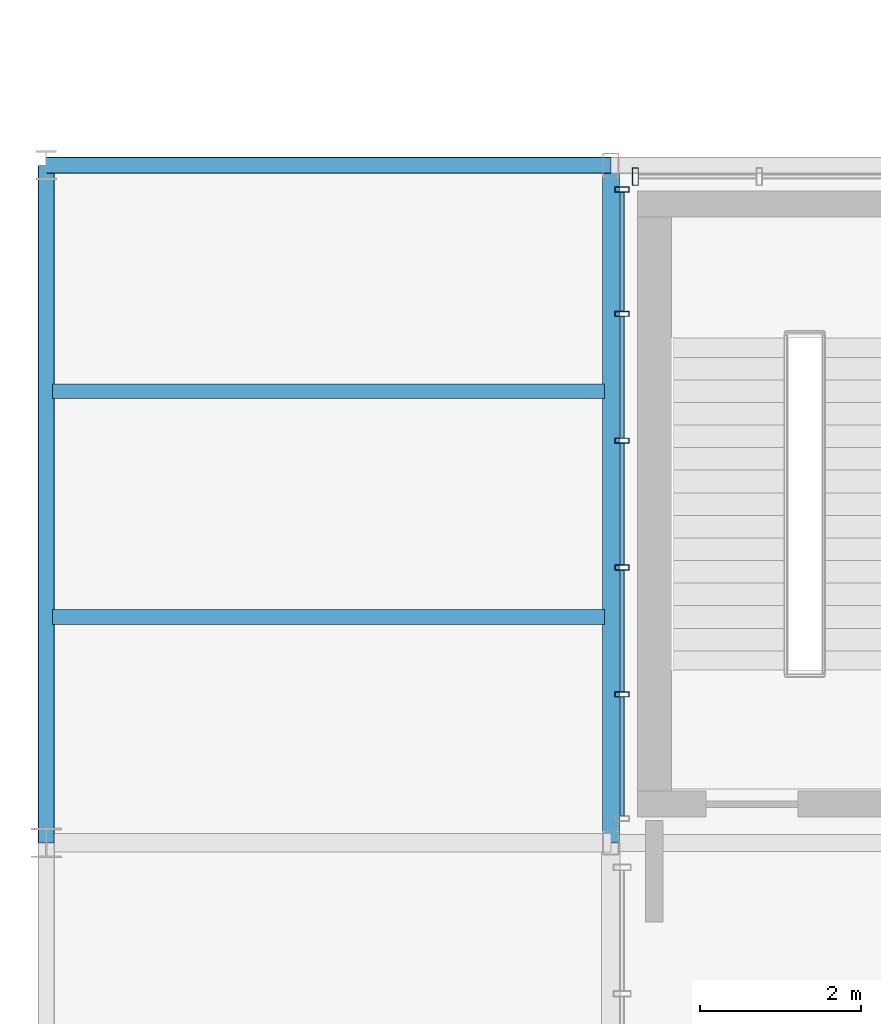
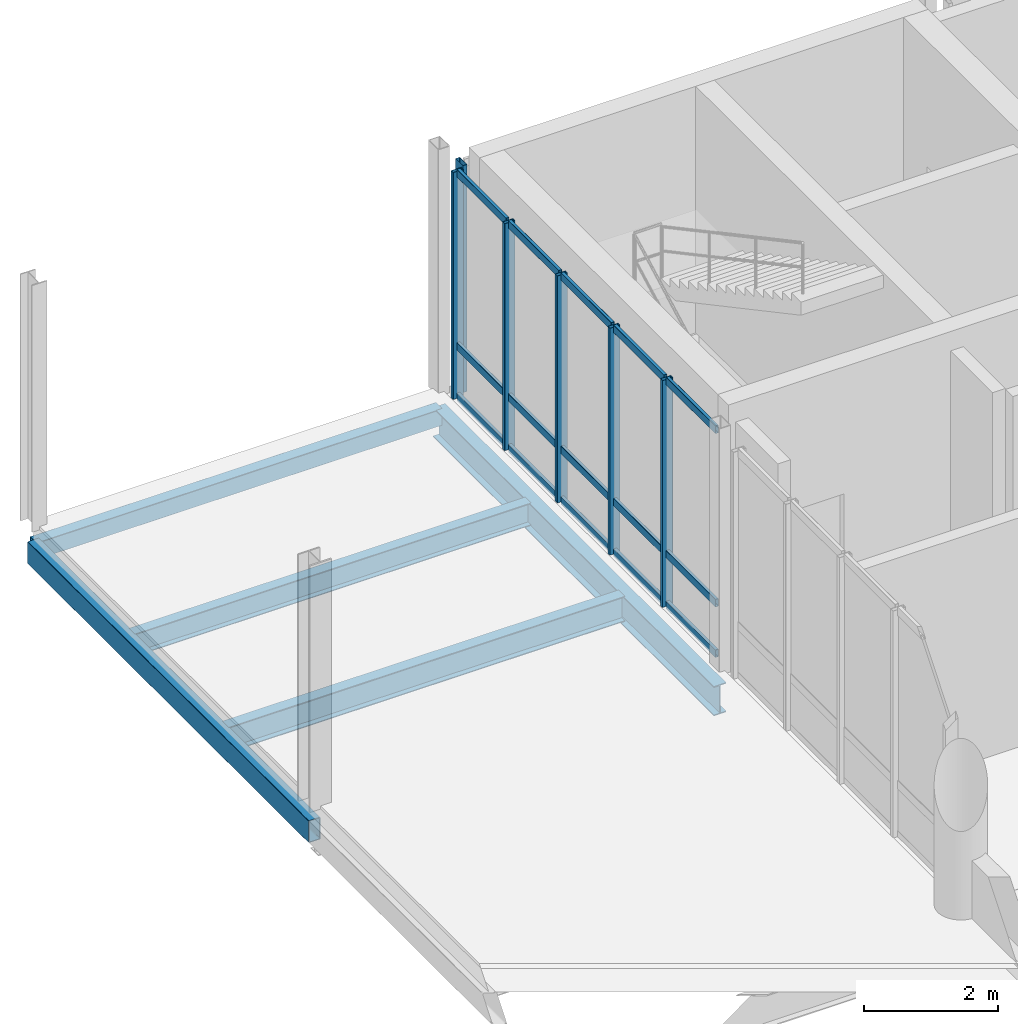
# One storey, part 10 of 68: 21 members, 5 beams, 2 elements without a shape of their own.
"""IFC4 building model written with IfcOpenShell, lengths in metres."""

from ifc_helpers import new_model, si_unit, direction, frame, origin_with_axes, origin_2d_with_axis, place, context, subcontext, project, spatial, hollow_rectangle, i_section, extrude, material, material_profile, profile_set, type_object, element, aggregate, save


model = new_model("IFC4")

# Units and contexts
model_context = context("Model", 3, precision=1e-05, world=origin_with_axes(), true_north=direction((0.0, 1.0)))
body_context = subcontext(model_context, "Body", "Model", "MODEL_VIEW")
ifc_project = project(units=[si_unit("LENGTHUNIT", "METRE"), si_unit("AREAUNIT", "SQUARE_METRE"), si_unit("VOLUMEUNIT", "CUBIC_METRE"), si_unit("PLANEANGLEUNIT", "RADIAN"), si_unit("MASSUNIT", "GRAM", prefix="KILO"), si_unit("THERMODYNAMICTEMPERATUREUNIT", "KELVIN")], contexts=[model_context])

# Site, building, storey
site_placement = place(None, origin_with_axes())
site = spatial("IfcSite", under=ifc_project, at=site_placement, CompositionType="ELEMENT")
building_placement = place(site_placement, origin_with_axes())
building = spatial("IfcBuilding", under=site, at=building_placement, Name="Montbau Bow Law Courts", CompositionType="ELEMENT")
storey_placement = place(building_placement, frame((0.0, 0.0, 20.4), z_axis=(0.0, 0.0, 1.0), x_axis=(1.0, 0.0, 0.0)))
storey = spatial("IfcBuildingStorey", under=building, at=storey_placement, Name="L04", CompositionType="ELEMENT", Elevation=20.4)

# Beams
ifc_material_1 = material(Name="Steel CSA G40.21 Grade 350W (350 MPa)", Category="steel")
ifc_material_profile_1 = material_profile(ifc_material_1, i_section(OverallWidth=0.21, OverallDepth=0.537, WebThickness=0.0109, FlangeThickness=0.0174, at=origin_2d_with_axis()), Name="W530X101", Category="Main", Priority=0)
ifc_profile_set_1 = profile_set([ifc_material_profile_1], Name="Steel CSA G40.21 Grade 350W (350 MPa)")
beam_type_1 = type_object("IfcBeamType", Name="B-FLR-06", PredefinedType="BEAM", material=ifc_profile_set_1)
beam_1_placement = place(None, frame((13.8, 46.2, 19.841), z_axis=(0.0, 1.0, 0.0), x_axis=(-1.0, 0.0, 0.0)))
element("IfcBeam", 1, at=beam_1_placement, inside=storey, type_object=beam_type_1, Name="BM-L04-S0641:bm2_0644", PredefinedType="BEAM", context=body_context, shape_type="SweptSolid", body=[
    extrude(i_section(OverallWidth=0.21, OverallDepth=0.537, WebThickness=0.0109, FlangeThickness=0.0174, at=origin_2d_with_axis()), origin_with_axes(), (0.0, 0.0, 1.0), 8.4),
])
ifc_material_profile_2 = material_profile(ifc_material_1, i_section(OverallWidth=0.191, OverallDepth=0.46, WebThickness=0.0099, FlangeThickness=0.016, at=origin_2d_with_axis()), Name="W460X82", Category="Main", Priority=0)
ifc_profile_set_2 = profile_set([ifc_material_profile_2], Name="Steel CSA G40.21 Grade 350W (350 MPa)")
beam_type_2 = type_object("IfcBeamType", Name="B-JST-01", PredefinedType="JOIST", material=ifc_profile_set_2)
beam_2_placement = place(None, frame((6.88, 49.0, 19.88), z_axis=(1.0, 0.0, 0.0), x_axis=(0.0, 1.0, 0.0)))
element("IfcBeam", 2, at=beam_2_placement, inside=storey, type_object=beam_type_2, Name="JST-L04-S0304:jst2_0304", PredefinedType="JOIST", context=body_context, shape_type="SweptSolid", body=[
    extrude(i_section(OverallWidth=0.191, OverallDepth=0.46, WebThickness=0.0099, FlangeThickness=0.016, at=origin_2d_with_axis()), origin_with_axes(), (0.0, 0.0, 1.0), 6.839),
])
ifc_material_profile_3 = material_profile(ifc_material_1, i_section(OverallWidth=0.179, OverallDepth=0.41, WebThickness=0.0088, FlangeThickness=0.0144, at=origin_2d_with_axis()), Name="W410X67", Category="Main", Priority=0)
ifc_profile_set_3 = profile_set([ifc_material_profile_3], Name="Steel CSA G40.21 Grade 350W (350 MPa)")
beam_type_3 = type_object("IfcBeamType", Name="B-JST-02", PredefinedType="JOIST", material=ifc_profile_set_3)
beam_3_placement = place(None, frame((6.88, 51.8, 19.905), z_axis=(1.0, 0.0, 0.0), x_axis=(0.0, 1.0, 0.0)))
element("IfcBeam", 3, at=beam_3_placement, inside=storey, type_object=beam_type_3, Name="JST-L04-S0305:jst2_0305", PredefinedType="JOIST", context=body_context, shape_type="SweptSolid", body=[
    extrude(i_section(OverallWidth=0.179, OverallDepth=0.41, WebThickness=0.0088, FlangeThickness=0.0144, at=origin_2d_with_axis()), origin_with_axes(), (0.0, 0.0, 1.0), 6.839),
])
ifc_material_2 = material(Name="Steel CSA G40.21 Grade 350WT (350 MPa)", Category="steel")
ifc_material_profile_4 = material_profile(ifc_material_2, hollow_rectangle(XDim=0.203, YDim=0.406, WallThickness=0.0127, InnerFilletRadius=0.0254, OuterFilletRadius=0.0127, at=origin_2d_with_axis()), Name="HSS406X203X13", Category="Main", Priority=0)
ifc_profile_set_4 = profile_set([ifc_material_profile_4], Name="Steel CSA G40.21 Grade 350WT (350 MPa)")
beam_type_4 = type_object("IfcBeamType", Name="B-SPN-01", PredefinedType="SPANDREL", material=ifc_profile_set_4)
beam_4_placement = place(None, frame((6.8, 46.2, 19.907), z_axis=(0.0, 1.0, 0.0), x_axis=(-1.0, 0.0, 0.0)))
element("IfcBeam", 4, at=beam_4_placement, inside=storey, type_object=beam_type_4, Name="SPN-L04-S0639:bm2_0642", PredefinedType="SPANDREL", context=body_context, shape_type="SweptSolid", body=[
    extrude(hollow_rectangle(XDim=0.203, YDim=0.406, WallThickness=0.0127, InnerFilletRadius=0.0254, OuterFilletRadius=0.0127, at=origin_2d_with_axis()), origin_with_axes(), (0.0, 0.0, 1.0), 8.4),
])
ifc_material_profile_5 = material_profile(ifc_material_2, hollow_rectangle(XDim=0.203, YDim=0.305, WallThickness=0.0127, InnerFilletRadius=0.0254, OuterFilletRadius=0.0127, at=origin_2d_with_axis()), Name="HSS305X203X13", Category="Main", Priority=0)
ifc_profile_set_5 = profile_set([ifc_material_profile_5], Name="Steel CSA G40.21 Grade 350WT (350 MPa)")
beam_type_5 = type_object("IfcBeamType", Name="B-SPN-02", PredefinedType="SPANDREL", material=ifc_profile_set_5)
beam_5_placement = place(None, frame((6.8, 54.6, 19.957), z_axis=(1.0, 0.0, 0.0), x_axis=(0.0, 1.0, 0.0)))
element("IfcBeam", 5, at=beam_5_placement, inside=storey, type_object=beam_type_5, Name="SPN-L04-S0632:bm2_0635", PredefinedType="SPANDREL", context=body_context, shape_type="SweptSolid", body=[
    extrude(hollow_rectangle(XDim=0.203, YDim=0.305, WallThickness=0.0127, InnerFilletRadius=0.0254, OuterFilletRadius=0.0127, at=origin_2d_with_axis()), origin_with_axes(), (0.0, 0.0, 1.0), 7.0),
])

# Curtain wall, member
ifc_material_3 = material(Name="Thermally Broken Extruded Aluminium AA 6063-T6", Category="aluminium")
curtain_wall_type = type_object("IfcCurtainWallType", Name="CW-NCK-01", PredefinedType="NOTDEFINED", material=ifc_material_3)
curtain_wall_1_placement = place(None, frame((14.068, 54.46, 20.4), z_axis=(0.0, 0.0, 1.0), x_axis=(1.0, 0.0, 0.0)))
curtain_wall_1 = element("IfcCurtainWall", 6, at=curtain_wall_1_placement, inside=storey, type_object=curtain_wall_type, Name="CW-L04-069:cw_0069", PredefinedType="NOTDEFINED")
ifc_material_profile_6 = material_profile(ifc_material_3, hollow_rectangle(XDim=0.075, YDim=0.22, WallThickness=0.005, InnerFilletRadius=0.01, OuterFilletRadius=0.005, at=origin_2d_with_axis()), Name="CWM-220X75", Category="Main", Priority=0)
ifc_profile_set_6 = profile_set([ifc_material_profile_6], Name="Thermally Broken Extruded Aluminium AA 6063-T6")
member_type_1 = type_object("IfcMemberType", Name="M-MUL-01", PredefinedType="MULLION", material=ifc_profile_set_6)
member_1_placement = place(None, frame((14.105, 54.46, 20.4), z_axis=(0.0, 0.0, 1.0), x_axis=(1.0, 0.0, 0.0)))
member_1 = element("IfcMember", 7, at=member_1_placement, type_object=member_type_1, Name="CW-L04-069-M01:cw_0069_M01", PredefinedType="MULLION", context=body_context, shape_type="SweptSolid", body=[
    extrude(hollow_rectangle(XDim=0.075, YDim=0.22, WallThickness=0.005, InnerFilletRadius=0.01, OuterFilletRadius=0.005, at=origin_2d_with_axis()), origin_with_axes(), (0.0, 0.0, 1.0), 4.14),
])
aggregate(curtain_wall_1, [member_1])

# Curtain wall, members
curtain_wall_2_placement = place(None, frame((13.94, 46.468, 20.4), z_axis=(0.0, 0.0, 1.0), x_axis=(1.0, 0.0, 0.0)))
curtain_wall_2 = element("IfcCurtainWall", 8, at=curtain_wall_2_placement, inside=storey, type_object=curtain_wall_type, Name="CW-L04-073:cw_0073", PredefinedType="NOTDEFINED")
ifc_material_profile_7 = material_profile(ifc_material_3, hollow_rectangle(XDim=0.065, YDim=0.18, WallThickness=0.005, InnerFilletRadius=0.01, OuterFilletRadius=0.005, at=origin_2d_with_axis()), Name="CWM-180X65", Category="Main", Priority=0)
ifc_profile_set_7 = profile_set([ifc_material_profile_7], Name="Thermally Broken Extruded Aluminium AA 6063-T6")
member_type_2 = type_object("IfcMemberType", Name="M-MUL-02", PredefinedType="MULLION", material=ifc_profile_set_7)
member_2_placement = place(None, frame((13.94, 48.041, 20.4), z_axis=(0.0, 0.0, 1.0), x_axis=(0.0, 1.0, 0.0)))
member_2 = element("IfcMember", 9, at=member_2_placement, type_object=member_type_2, Name="CW-L04-073-M02:cw_0073_M02", PredefinedType="MULLION", context=body_context, shape_type="SweptSolid", body=[
    extrude(hollow_rectangle(XDim=0.065, YDim=0.18, WallThickness=0.005, InnerFilletRadius=0.01, OuterFilletRadius=0.005, at=origin_2d_with_axis()), origin_with_axes(), (0.0, 0.0, 1.0), 4.14),
])
member_3_placement = place(None, frame((13.94, 49.614, 20.4), z_axis=(0.0, 0.0, 1.0), x_axis=(0.0, 1.0, 0.0)))
member_3 = element("IfcMember", 10, at=member_3_placement, type_object=member_type_2, Name="CW-L04-073-M03:cw_0073_M03", PredefinedType="MULLION", context=body_context, shape_type="SweptSolid", body=[
    extrude(hollow_rectangle(XDim=0.065, YDim=0.18, WallThickness=0.005, InnerFilletRadius=0.01, OuterFilletRadius=0.005, at=origin_2d_with_axis()), origin_with_axes(), (0.0, 0.0, 1.0), 4.14),
])
member_4_placement = place(None, frame((13.94, 51.186, 20.4), z_axis=(0.0, 0.0, 1.0), x_axis=(0.0, 1.0, 0.0)))
member_4 = element("IfcMember", 11, at=member_4_placement, type_object=member_type_2, Name="CW-L04-073-M04:cw_0073_M04", PredefinedType="MULLION", context=body_context, shape_type="SweptSolid", body=[
    extrude(hollow_rectangle(XDim=0.065, YDim=0.18, WallThickness=0.005, InnerFilletRadius=0.01, OuterFilletRadius=0.005, at=origin_2d_with_axis()), origin_with_axes(), (0.0, 0.0, 1.0), 4.14),
])
member_5_placement = place(None, frame((13.94, 52.759, 20.4), z_axis=(0.0, 0.0, 1.0), x_axis=(0.0, 1.0, 0.0)))
member_5 = element("IfcMember", 12, at=member_5_placement, type_object=member_type_2, Name="CW-L04-073-M05:cw_0073_M05", PredefinedType="MULLION", context=body_context, shape_type="SweptSolid", body=[
    extrude(hollow_rectangle(XDim=0.065, YDim=0.18, WallThickness=0.005, InnerFilletRadius=0.01, OuterFilletRadius=0.005, at=origin_2d_with_axis()), origin_with_axes(), (0.0, 0.0, 1.0), 4.14),
])
member_6_placement = place(None, frame((13.94, 54.299, 20.4), z_axis=(0.0, 0.0, 1.0), x_axis=(0.0, 1.0, 0.0)))
member_6 = element("IfcMember", 13, at=member_6_placement, type_object=member_type_2, Name="CW-L04-073-M06:cw_0073_M06", PredefinedType="MULLION", context=body_context, shape_type="SweptSolid", body=[
    extrude(hollow_rectangle(XDim=0.065, YDim=0.18, WallThickness=0.005, InnerFilletRadius=0.01, OuterFilletRadius=0.005, at=origin_2d_with_axis()), origin_with_axes(), (0.0, 0.0, 1.0), 4.14),
])
ifc_material_profile_8 = material_profile(ifc_material_3, hollow_rectangle(XDim=0.055, YDim=0.14, WallThickness=0.004, InnerFilletRadius=0.008, OuterFilletRadius=0.004, at=origin_2d_with_axis()), Name="CWT-140X55", Category="Main", Priority=0)
ifc_profile_set_8 = profile_set([ifc_material_profile_8], Name="Thermally Broken Extruded Aluminium AA 6063-T6")
member_type_3 = type_object("IfcMemberType", Name="M-TRN-02", PredefinedType="USERDEFINED", material=ifc_profile_set_8)
member_7_placement = place(None, frame((13.94, 46.536, 20.427), z_axis=(0.0, 1.0, 0.0), x_axis=(-1.0, 0.0, 0.0)))
member_7 = element("IfcMember", 14, at=member_7_placement, type_object=member_type_3, Name="CW-L04-073-T01-1:cw_0073_T01_1", ObjectType="TRANSOM", PredefinedType="USERDEFINED", context=body_context, shape_type="SweptSolid", body=[
    extrude(hollow_rectangle(XDim=0.055, YDim=0.14, WallThickness=0.004, InnerFilletRadius=0.008, OuterFilletRadius=0.004, at=origin_2d_with_axis()), origin_with_axes(), (0.0, 0.0, 1.0), 1.47),
])
member_8_placement = place(None, frame((13.94, 46.536, 21.35), z_axis=(0.0, 1.0, 0.0), x_axis=(-1.0, 0.0, 0.0)))
member_8 = element("IfcMember", 15, at=member_8_placement, type_object=member_type_3, Name="CW-L04-073-T01-2:cw_0073_T01_2", ObjectType="TRANSOM", PredefinedType="USERDEFINED", context=body_context, shape_type="SweptSolid", body=[
    extrude(hollow_rectangle(XDim=0.055, YDim=0.14, WallThickness=0.004, InnerFilletRadius=0.008, OuterFilletRadius=0.004, at=origin_2d_with_axis()), origin_with_axes(), (0.0, 0.0, 1.0), 1.47),
])
member_9_placement = place(None, frame((13.94, 46.536, 24.512), z_axis=(0.0, 1.0, 0.0), x_axis=(-1.0, 0.0, 0.0)))
member_9 = element("IfcMember", 16, at=member_9_placement, type_object=member_type_3, Name="CW-L04-073-T01-3:cw_0073_T01_3", ObjectType="TRANSOM", PredefinedType="USERDEFINED", context=body_context, shape_type="SweptSolid", body=[
    extrude(hollow_rectangle(XDim=0.055, YDim=0.14, WallThickness=0.004, InnerFilletRadius=0.008, OuterFilletRadius=0.004, at=origin_2d_with_axis()), origin_with_axes(), (0.0, 0.0, 1.0), 1.47),
])
member_10_placement = place(None, frame((13.94, 48.075, 20.427), z_axis=(0.0, 1.0, 0.0), x_axis=(-1.0, 0.0, 0.0)))
member_10 = element("IfcMember", 17, at=member_10_placement, type_object=member_type_3, Name="CW-L04-073-T02-1:cw_0073_T02_1", ObjectType="TRANSOM", PredefinedType="USERDEFINED", context=body_context, shape_type="SweptSolid", body=[
    extrude(hollow_rectangle(XDim=0.055, YDim=0.14, WallThickness=0.004, InnerFilletRadius=0.008, OuterFilletRadius=0.004, at=origin_2d_with_axis()), origin_with_axes(), (0.0, 0.0, 1.0), 1.504),
])
member_11_placement = place(None, frame((13.94, 48.075, 21.35), z_axis=(0.0, 1.0, 0.0), x_axis=(-1.0, 0.0, 0.0)))
member_11 = element("IfcMember", 18, at=member_11_placement, type_object=member_type_3, Name="CW-L04-073-T02-2:cw_0073_T02_2", ObjectType="TRANSOM", PredefinedType="USERDEFINED", context=body_context, shape_type="SweptSolid", body=[
    extrude(hollow_rectangle(XDim=0.055, YDim=0.14, WallThickness=0.004, InnerFilletRadius=0.008, OuterFilletRadius=0.004, at=origin_2d_with_axis()), origin_with_axes(), (0.0, 0.0, 1.0), 1.504),
])
member_12_placement = place(None, frame((13.94, 48.075, 24.512), z_axis=(0.0, 1.0, 0.0), x_axis=(-1.0, 0.0, 0.0)))
member_12 = element("IfcMember", 19, at=member_12_placement, type_object=member_type_3, Name="CW-L04-073-T02-3:cw_0073_T02_3", ObjectType="TRANSOM", PredefinedType="USERDEFINED", context=body_context, shape_type="SweptSolid", body=[
    extrude(hollow_rectangle(XDim=0.055, YDim=0.14, WallThickness=0.004, InnerFilletRadius=0.008, OuterFilletRadius=0.004, at=origin_2d_with_axis()), origin_with_axes(), (0.0, 0.0, 1.0), 1.504),
])
member_13_placement = place(None, frame((13.94, 49.648, 20.427), z_axis=(0.0, 1.0, 0.0), x_axis=(-1.0, 0.0, 0.0)))
member_13 = element("IfcMember", 20, at=member_13_placement, type_object=member_type_3, Name="CW-L04-073-T03-1:cw_0073_T03_1", ObjectType="TRANSOM", PredefinedType="USERDEFINED", context=body_context, shape_type="SweptSolid", body=[
    extrude(hollow_rectangle(XDim=0.055, YDim=0.14, WallThickness=0.004, InnerFilletRadius=0.008, OuterFilletRadius=0.004, at=origin_2d_with_axis()), origin_with_axes(), (0.0, 0.0, 1.0), 1.504),
])
member_14_placement = place(None, frame((13.94, 49.648, 21.35), z_axis=(0.0, 1.0, 0.0), x_axis=(-1.0, 0.0, 0.0)))
member_14 = element("IfcMember", 21, at=member_14_placement, type_object=member_type_3, Name="CW-L04-073-T03-2:cw_0073_T03_2", ObjectType="TRANSOM", PredefinedType="USERDEFINED", context=body_context, shape_type="SweptSolid", body=[
    extrude(hollow_rectangle(XDim=0.055, YDim=0.14, WallThickness=0.004, InnerFilletRadius=0.008, OuterFilletRadius=0.004, at=origin_2d_with_axis()), origin_with_axes(), (0.0, 0.0, 1.0), 1.504),
])
member_15_placement = place(None, frame((13.94, 49.648, 24.512), z_axis=(0.0, 1.0, 0.0), x_axis=(-1.0, 0.0, 0.0)))
member_15 = element("IfcMember", 22, at=member_15_placement, type_object=member_type_3, Name="CW-L04-073-T03-3:cw_0073_T03_3", ObjectType="TRANSOM", PredefinedType="USERDEFINED", context=body_context, shape_type="SweptSolid", body=[
    extrude(hollow_rectangle(XDim=0.055, YDim=0.14, WallThickness=0.004, InnerFilletRadius=0.008, OuterFilletRadius=0.004, at=origin_2d_with_axis()), origin_with_axes(), (0.0, 0.0, 1.0), 1.504),
])
member_16_placement = place(None, frame((13.94, 51.22, 20.427), z_axis=(0.0, 1.0, 0.0), x_axis=(-1.0, 0.0, 0.0)))
member_16 = element("IfcMember", 23, at=member_16_placement, type_object=member_type_3, Name="CW-L04-073-T04-1:cw_0073_T04_1", ObjectType="TRANSOM", PredefinedType="USERDEFINED", context=body_context, shape_type="SweptSolid", body=[
    extrude(hollow_rectangle(XDim=0.055, YDim=0.14, WallThickness=0.004, InnerFilletRadius=0.008, OuterFilletRadius=0.004, at=origin_2d_with_axis()), origin_with_axes(), (0.0, 0.0, 1.0), 1.505),
])
member_17_placement = place(None, frame((13.94, 51.22, 21.35), z_axis=(0.0, 1.0, 0.0), x_axis=(-1.0, 0.0, 0.0)))
member_17 = element("IfcMember", 24, at=member_17_placement, type_object=member_type_3, Name="CW-L04-073-T04-2:cw_0073_T04_2", ObjectType="TRANSOM", PredefinedType="USERDEFINED", context=body_context, shape_type="SweptSolid", body=[
    extrude(hollow_rectangle(XDim=0.055, YDim=0.14, WallThickness=0.004, InnerFilletRadius=0.008, OuterFilletRadius=0.004, at=origin_2d_with_axis()), origin_with_axes(), (0.0, 0.0, 1.0), 1.505),
])
member_18_placement = place(None, frame((13.94, 51.22, 24.512), z_axis=(0.0, 1.0, 0.0), x_axis=(-1.0, 0.0, 0.0)))
member_18 = element("IfcMember", 25, at=member_18_placement, type_object=member_type_3, Name="CW-L04-073-T04-3:cw_0073_T04_3", ObjectType="TRANSOM", PredefinedType="USERDEFINED", context=body_context, shape_type="SweptSolid", body=[
    extrude(hollow_rectangle(XDim=0.055, YDim=0.14, WallThickness=0.004, InnerFilletRadius=0.008, OuterFilletRadius=0.004, at=origin_2d_with_axis()), origin_with_axes(), (0.0, 0.0, 1.0), 1.505),
])
member_19_placement = place(None, frame((13.94, 52.793, 20.427), z_axis=(0.0, 1.0, 0.0), x_axis=(-1.0, 0.0, 0.0)))
member_19 = element("IfcMember", 26, at=member_19_placement, type_object=member_type_3, Name="CW-L04-073-T05-1:cw_0073_T05_1", ObjectType="TRANSOM", PredefinedType="USERDEFINED", context=body_context, shape_type="SweptSolid", body=[
    extrude(hollow_rectangle(XDim=0.055, YDim=0.14, WallThickness=0.004, InnerFilletRadius=0.008, OuterFilletRadius=0.004, at=origin_2d_with_axis()), origin_with_axes(), (0.0, 0.0, 1.0), 1.472),
])
member_20_placement = place(None, frame((13.94, 52.793, 21.35), z_axis=(0.0, 1.0, 0.0), x_axis=(-1.0, 0.0, 0.0)))
member_20 = element("IfcMember", 27, at=member_20_placement, type_object=member_type_3, Name="CW-L04-073-T05-2:cw_0073_T05_2", ObjectType="TRANSOM", PredefinedType="USERDEFINED", context=body_context, shape_type="SweptSolid", body=[
    extrude(hollow_rectangle(XDim=0.055, YDim=0.14, WallThickness=0.004, InnerFilletRadius=0.008, OuterFilletRadius=0.004, at=origin_2d_with_axis()), origin_with_axes(), (0.0, 0.0, 1.0), 1.472),
])
member_21_placement = place(None, frame((13.94, 52.793, 24.512), z_axis=(0.0, 1.0, 0.0), x_axis=(-1.0, 0.0, 0.0)))
member_21 = element("IfcMember", 28, at=member_21_placement, type_object=member_type_3, Name="CW-L04-073-T05-3:cw_0073_T05_3", ObjectType="TRANSOM", PredefinedType="USERDEFINED", context=body_context, shape_type="SweptSolid", body=[
    extrude(hollow_rectangle(XDim=0.055, YDim=0.14, WallThickness=0.004, InnerFilletRadius=0.008, OuterFilletRadius=0.004, at=origin_2d_with_axis()), origin_with_axes(), (0.0, 0.0, 1.0), 1.472),
])
aggregate(curtain_wall_2, [member_2, member_3, member_4, member_5, member_6, member_7, member_8, member_9, member_10, member_11, member_12, member_13, member_14, member_15, member_16, member_17, member_18, member_19, member_20, member_21])

save(model, "model.ifc")
